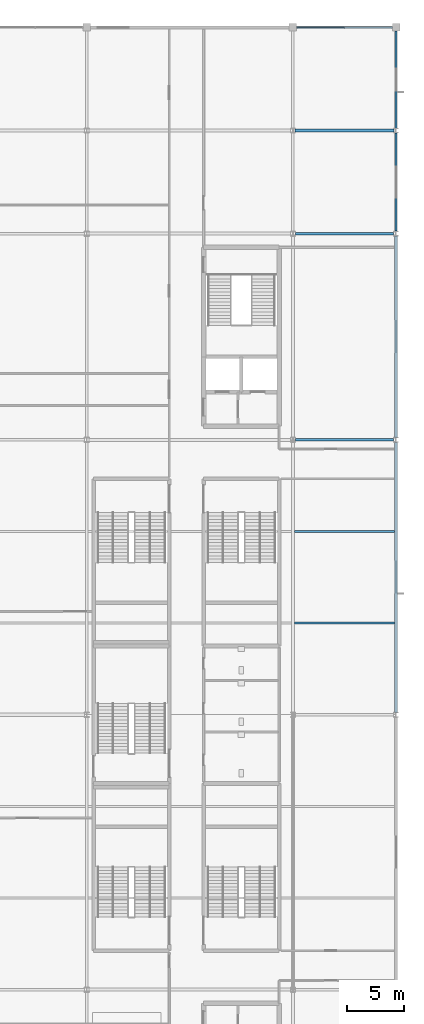
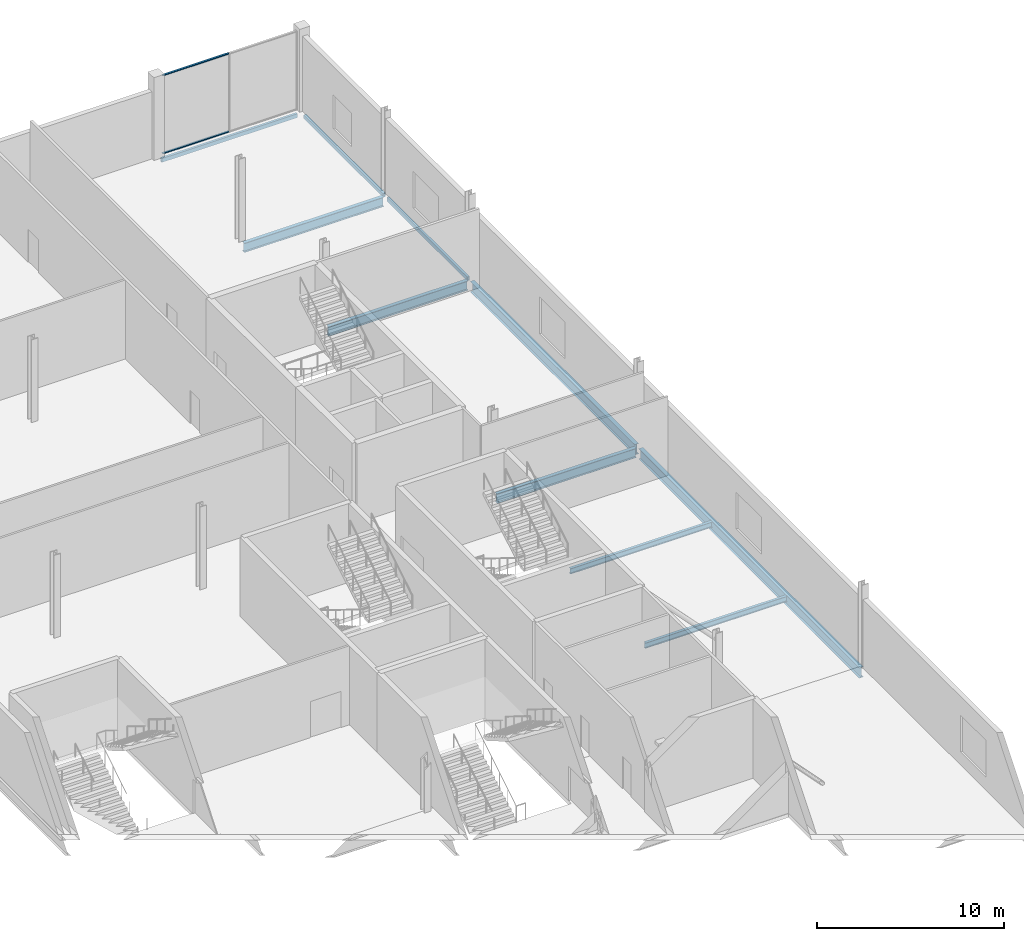
# One storey, part 53 of 111: 10 beams, 2 members, 1 element without a shape of its own.
"""IFC4 building model written with IfcOpenShell, lengths in metres."""

from ifc_helpers import new_model, si_unit, direction, frame, origin, origin_2d, place, context, subcontext, project, spatial, rectangle, hollow_rectangle, i_section, extrude, material, layer, layer_set, material_profile, profile_set, type_object, element, aggregate, save


model = new_model("IFC4")

# Units and contexts
model_context = context("Model", 3, precision=1e-05, world=origin(), true_north=direction((0.0, 1.0)))
body_context = subcontext(model_context, "Body", "Model", "MODEL_VIEW")
ifc_project = project(units=[si_unit("LENGTHUNIT", "METRE"), si_unit("AREAUNIT", "SQUARE_METRE"), si_unit("VOLUMEUNIT", "CUBIC_METRE"), si_unit("PLANEANGLEUNIT", "RADIAN"), si_unit("MASSUNIT", "GRAM", prefix="KILO")], contexts=[model_context])

# Site, building, storey
site_placement = place(None, origin())
site = spatial("IfcSite", under=ifc_project, at=site_placement, CompositionType="ELEMENT")
building_placement = place(site_placement, origin())
building = spatial("IfcBuilding", under=site, at=building_placement, Name="Kisiwana Market Hall", CompositionType="ELEMENT")
storey_placement = place(building_placement, frame((0.0, 0.0, 11.39990234375)))
storey = spatial("IfcBuildingStorey", under=building, at=storey_placement, Name="L02", CompositionType="ELEMENT", Elevation=11.39990234375)

# Beams
ifc_material_1 = material(Name="Steel S355", Category="steel")
ifc_material_profile_1 = material_profile(ifc_material_1, i_section(OverallWidth=0.22900390625, OverallDepth=0.6123046875, WebThickness=0.011962890625, FlangeThickness=0.01953125, at=origin_2d()), Name="UB 610x229x125")
ifc_profile_set_1 = profile_set([ifc_material_profile_1], Name="Steel S355")
beam_type_1 = type_object("IfcBeamType", Name="BM-GIRD-UB610H", PredefinedType="BEAM", material=ifc_profile_set_1)
for number, where, z_axis, x_axis, name in (
    (1, (189.201904296875, 84.0, -0.555908203125), (1.0, 0.0, 0.0), (0.0, 1.0, 0.0), "Floor beam B-0788"),
    (2, (189.201904296875, 102.0, -0.555908203125), (1.0, 0.0, 0.0), (0.0, 1.0, 0.0), "Floor beam B-0802"),
):
    element("IfcBeam", number, at=place(storey_placement, frame(where, z_axis=z_axis, x_axis=x_axis)), inside=storey, type_object=beam_type_1, Name=name, PredefinedType="BEAM", context=body_context, shape_type="SweptSolid", body=[
        extrude(i_section(OverallWidth=0.22900390625, OverallDepth=0.6123046875, WebThickness=0.011962890625, FlangeThickness=0.01953125, at=origin_2d()), origin(), (0.0, 0.0, 1.0), 8.59619140625),
    ])
beam_1_placement = place(storey_placement, frame((189.197509765625, 111.0, -0.555908203125), z_axis=(1.0, 0.0, 0.0), x_axis=(0.0, 1.0, 0.0)))
element("IfcBeam", 3, at=beam_1_placement, inside=storey, type_object=beam_type_1, Name="Floor beam B-0810", PredefinedType="BEAM", context=body_context, shape_type="SweptSolid", body=[
    extrude(i_section(OverallWidth=0.22900390625, OverallDepth=0.6123046875, WebThickness=0.011962890625, FlangeThickness=0.01953125, at=origin_2d()), origin(), (0.0, 0.0, 1.0), 8.60498046875),
])
ifc_material_2 = material(Name="Steel S355", Category="steel")
ifc_material_profile_2 = material_profile(ifc_material_2, i_section(OverallWidth=0.253662109375, OverallDepth=0.68359375, WebThickness=0.012451171875, FlangeThickness=0.01904296875, at=origin_2d()), Name="UB 686x254x140")
ifc_profile_set_2 = profile_set([ifc_material_profile_2], Name="Steel S355")
beam_type_2 = type_object("IfcBeamType", Name="BM-GIRD-UB686", PredefinedType="BEAM", material=ifc_profile_set_2)
beam_2_placement = place(storey_placement, frame((198.0, 60.21337890625, -0.591552734375), z_axis=(0.0, 1.0, 0.0), x_axis=(-1.0, 0.0, 0.0)))
element("IfcBeam", 4, at=beam_2_placement, inside=storey, type_object=beam_type_2, Name="Floor beam B-0845", PredefinedType="BEAM", context=body_context, shape_type="SweptSolid", body=[
    extrude(i_section(OverallWidth=0.253662109375, OverallDepth=0.68359375, WebThickness=0.012451171875, FlangeThickness=0.01904296875, at=origin_2d()), origin(), (0.0, 0.0, 1.0), 23.5732421875),
])
beam_3_placement = place(storey_placement, frame((198.0, 84.21337890625, -0.591552734375), z_axis=(0.0, 1.0, 0.0), x_axis=(-1.0, 0.0, 0.0)))
element("IfcBeam", 5, at=beam_3_placement, inside=storey, type_object=beam_type_2, Name="Floor beam B-0846", PredefinedType="BEAM", context=body_context, shape_type="SweptSolid", body=[
    extrude(i_section(OverallWidth=0.253662109375, OverallDepth=0.68359375, WebThickness=0.012451171875, FlangeThickness=0.01904296875, at=origin_2d()), origin(), (0.0, 0.0, 1.0), 17.5732421875),
])
ifc_material_3 = material(Name="Steel S355", Category="steel")
ifc_material_profile_3 = material_profile(ifc_material_3, i_section(OverallWidth=0.17138671875, OverallDepth=0.35498046875, WebThickness=0.00732421875, FlangeThickness=0.011474609375, at=origin_2d()), Name="UB 356x171x51")
ifc_profile_set_3 = profile_set([ifc_material_profile_3], Name="Steel S355")
beam_type_3 = type_object("IfcBeamType", Name="BM-JOIST-UB356", PredefinedType="JOIST", material=ifc_profile_set_3)
for number, where, z_axis, x_axis, name in (
    (6, (189.125732421875, 68.0, -0.427490234375), (1.0, 0.0, 0.0), (0.0, 1.0, 0.0), "Secondary floor joist B-0710"),
    (7, (189.125732421875, 76.0, -0.427490234375), (1.0, 0.0, 0.0), (0.0, 1.0, 0.0), "Secondary floor joist B-0718"),
):
    element("IfcBeam", number, at=place(storey_placement, frame(where, z_axis=z_axis, x_axis=x_axis)), inside=storey, type_object=beam_type_3, Name=name, PredefinedType="JOIST", context=body_context, shape_type="SweptSolid", body=[
        extrude(i_section(OverallWidth=0.17138671875, OverallDepth=0.35498046875, WebThickness=0.00732421875, FlangeThickness=0.011474609375, at=origin_2d()), origin(), (0.0, 0.0, 1.0), 8.74853515625),
    ])
ifc_material_4 = material(Name="Steel S355", Category="steel")
ifc_material_profile_4 = material_profile(ifc_material_4, hollow_rectangle(XDim=0.14990234375, YDim=0.25, WallThickness=0.010009765625, at=origin_2d()), Name="RHS 250x150x10.0")
ifc_profile_set_4 = profile_set([ifc_material_profile_4], Name="Steel S355")
beam_type_4 = type_object("IfcBeamType", Name="BM-SPAN-RHS250", PredefinedType="SPANDREL", material=ifc_profile_set_4)
beam_4_placement = place(storey_placement, frame((189.321044921875, 120.0, -0.375), z_axis=(1.0, 0.0, 0.0), x_axis=(0.0, 1.0, 0.0)))
element("IfcBeam", 8, at=beam_4_placement, inside=storey, type_object=beam_type_4, Name="Floor beam B-0824", PredefinedType="SPANDREL", context=body_context, shape_type="SweptSolid", body=[
    extrude(hollow_rectangle(XDim=0.14990234375, YDim=0.25, WallThickness=0.010009765625, at=origin_2d()), origin(), (0.0, 0.0, 1.0), 8.35791015625),
])
beam_5_placement = place(storey_placement, frame((198.0, 102.21337890625, -0.375), z_axis=(0.0, 1.0, 0.0), x_axis=(-1.0, 0.0, 0.0)))
element("IfcBeam", 9, at=beam_5_placement, inside=storey, type_object=beam_type_4, Name="Floor beam B-0847", PredefinedType="SPANDREL", context=body_context, shape_type="SweptSolid", body=[
    extrude(hollow_rectangle(XDim=0.14990234375, YDim=0.25, WallThickness=0.010009765625, at=origin_2d()), origin(), (0.0, 0.0, 1.0), 8.58740234375),
])
beam_6_placement = place(storey_placement, frame((198.0, 111.19921875, -0.375), z_axis=(0.0, 1.0, 0.0), x_axis=(-1.0, 0.0, 0.0)))
element("IfcBeam", 10, at=beam_6_placement, inside=storey, type_object=beam_type_4, Name="Floor beam B-0848", PredefinedType="SPANDREL", context=body_context, shape_type="SweptSolid", body=[
    extrude(hollow_rectangle(XDim=0.14990234375, YDim=0.25, WallThickness=0.010009765625, at=origin_2d()), origin(), (0.0, 0.0, 1.0), 8.479736328125),
])

# Curtain wall, members
ifc_material_5 = material(Name="Double-glazed solar-control low-E IGU", Category="glass")
ifc_layer = layer(ifc_material_5, 0.159912109375)
ifc_layer_set = layer_set([ifc_layer], Name="CW-GLD-E-7200")
curtain_wall_type = type_object("IfcCurtainWallType", Name="CW-GLD-E-7200", PredefinedType="USERDEFINED", material=ifc_layer_set)
curtain_wall_placement = place(storey_placement, origin())
curtain_wall = element("IfcCurtainWall", 11, at=curtain_wall_placement, inside=storey, type_object=curtain_wall_type, Name="Unitised curtain wall CW-088 (L02)", ObjectType="UNITISED CURTAIN WALL", PredefinedType="USERDEFINED")
ifc_material_6 = material(Name="Aluminium alloy 6063-T6", Category="aluminium")
ifc_material_profile_5 = material_profile(ifc_material_6, rectangle(XDim=0.1201171875, YDim=0.06005859375, at=origin_2d()), Name="ALU TRANSOM 60x120")
ifc_profile_set_5 = profile_set([ifc_material_profile_5], Name="Aluminium alloy 6063-T6")
member_type = type_object("IfcMemberType", Name="CW-TRAN-60x120", PredefinedType="USERDEFINED", material=ifc_profile_set_5)
member_1_placement = place(storey_placement, frame((189.385009765625, 120.0, 0.030029296875), z_axis=(1.0, 0.0, 0.0), x_axis=(0.0, 1.0, 0.0)))
member_1 = element("IfcMember", 12, at=member_1_placement, type_object=member_type, Name="CW-088 transom 1.1", ObjectType="TRANSOM", PredefinedType="USERDEFINED", context=body_context, shape_type="SweptSolid", body=[
    extrude(rectangle(XDim=0.1201171875, YDim=0.06005859375, at=origin_2d()), origin(), (0.0, 0.0, 1.0), 4.0849609375),
])
member_2_placement = place(storey_placement, frame((189.385009765625, 120.0, 5.1201171875), z_axis=(1.0, 0.0, 0.0), x_axis=(0.0, 1.0, 0.0)))
member_2 = element("IfcMember", 13, at=member_2_placement, type_object=member_type, Name="CW-088 transom 1.2", ObjectType="TRANSOM", PredefinedType="USERDEFINED", context=body_context, shape_type="SweptSolid", body=[
    extrude(rectangle(XDim=0.1201171875, YDim=0.06005859375, at=origin_2d()), origin(), (0.0, 0.0, 1.0), 4.0849609375),
])
aggregate(curtain_wall, [member_1, member_2])

save(model, "model.ifc")
